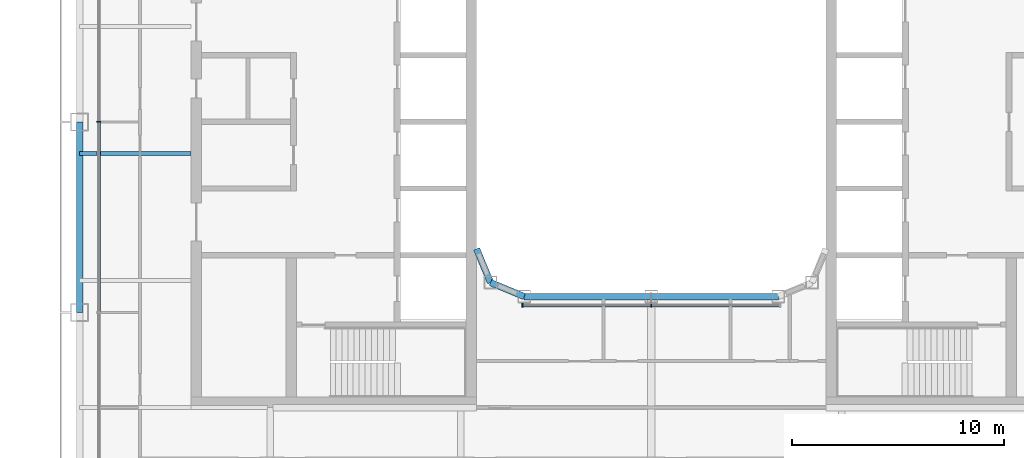
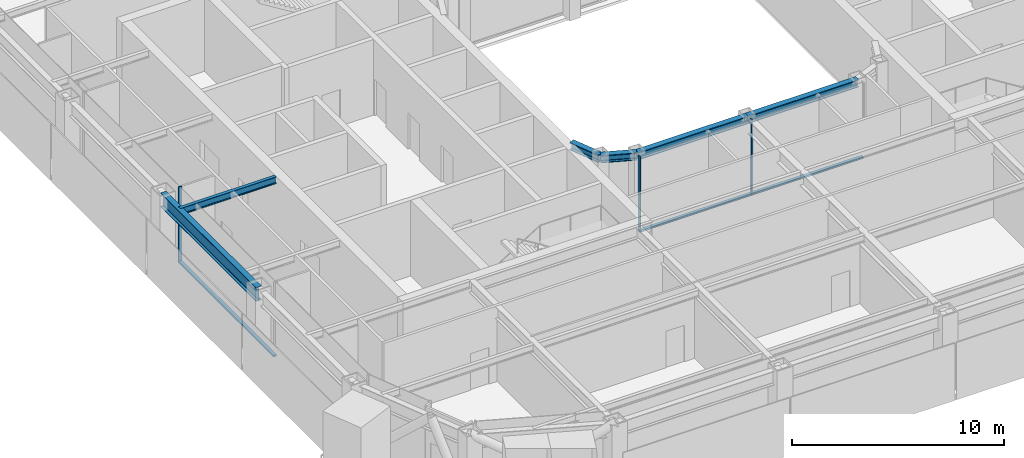
# One storey, part 3 of 24: 6 beams, 6 members, 2 elements without a shape of their own.
"""IFC4 building model written with IfcOpenShell, lengths in metres."""

from ifc_helpers import new_model, si_unit, direction, frame, origin, origin_2d, place, context, subcontext, project, spatial, rectangle, i_section, extrude, material, layer, layer_set, material_profile, profile_set, type_object, element, aggregate, save


model = new_model("IFC4")

# Units and contexts
model_context = context("Model", 3, precision=1e-05, world=origin(), true_north=direction((0.0, 1.0)))
body_context = subcontext(model_context, "Body", "Model", "MODEL_VIEW")
ifc_project = project(units=[si_unit("LENGTHUNIT", "METRE"), si_unit("AREAUNIT", "SQUARE_METRE"), si_unit("VOLUMEUNIT", "CUBIC_METRE"), si_unit("PLANEANGLEUNIT", "RADIAN"), si_unit("MASSUNIT", "GRAM", prefix="KILO")], contexts=[model_context])

# Site, building, storey
site_placement = place(None, origin())
site = spatial("IfcSite", under=ifc_project, at=site_placement, CompositionType="ELEMENT")
building_placement = place(site_placement, origin())
building = spatial("IfcBuilding", under=site, at=building_placement, Name="Siwar Civic Tower", CompositionType="ELEMENT")
storey_placement = place(building_placement, frame((0.0, 0.0, 215.199951171875)))
storey = spatial("IfcBuildingStorey", under=building, at=storey_placement, Name="L46", CompositionType="ELEMENT", Elevation=215.199951171875)

# Curtain wall, member
ifc_material_1 = material(Name="Aluminium and glass", Category="aluminium")
ifc_layer_1 = layer(ifc_material_1, 0.179931640625)
ifc_layer_set_1 = layer_set([ifc_layer_1], Name="Aluminium and glass")
curtain_wall_type_1 = type_object("IfcCurtainWallType", Name="ENV-CW-C", PredefinedType="NOTDEFINED", material=ifc_layer_set_1)
curtain_wall_1_placement = place(storey_placement, origin())
curtain_wall_1 = element("IfcCurtainWall", 1, at=curtain_wall_1_placement, inside=storey, type_object=curtain_wall_type_1, Name="Curtain wall C W", PredefinedType="NOTDEFINED")
ifc_material_2 = material(Name="Aluminium 6063-T6", Category="aluminium")
ifc_material_profile_1 = material_profile(ifc_material_2, rectangle(XDim=0.179931640625, YDim=0.06005859375, at=origin_2d()), Name="AL 180x60")
ifc_profile_set_1 = profile_set([ifc_material_profile_1], Name="Aluminium 6063-T6")
member_type_1 = type_object("IfcMemberType", Name="ENV-MULLION-C", PredefinedType="MULLION", material=ifc_profile_set_1)
member_1_placement = place(storey_placement, frame((-26.10009765625, 0.0, 0.0), z_axis=(0.0, 0.0, 1.0), x_axis=(1.0, 0.0, 0.0)))
member_1 = element("IfcMember", 2, at=member_1_placement, type_object=member_type_1, Name="Mullion C W 3", PredefinedType="MULLION", context=body_context, shape_type="SweptSolid", body=[
    extrude(rectangle(XDim=0.179931640625, YDim=0.06005859375, at=origin_2d()), origin(), (0.0, 0.0, 1.0), 4.35009765625),
])

# Curtain wall, members
ifc_material_3 = material(Name="Aluminium and glass", Category="aluminium")
ifc_layer_2 = layer(ifc_material_3, 0.179931640625)
ifc_layer_set_2 = layer_set([ifc_layer_2], Name="Aluminium and glass")
curtain_wall_type_2 = type_object("IfcCurtainWallType", Name="ENV-CW-W", PredefinedType="NOTDEFINED", material=ifc_layer_set_2)
curtain_wall_2_placement = place(storey_placement, origin())
curtain_wall_2 = element("IfcCurtainWall", 3, at=curtain_wall_2_placement, inside=storey, type_object=curtain_wall_type_2, Name="Curtain wall W WS", PredefinedType="NOTDEFINED")
ifc_material_4 = material(Name="Aluminium 6063-T6", Category="aluminium")
ifc_material_profile_2 = material_profile(ifc_material_4, rectangle(XDim=0.179931640625, YDim=0.06005859375, at=origin_2d()), Name="AL 180x60")
ifc_profile_set_2 = profile_set([ifc_material_profile_2], Name="Aluminium 6063-T6")
member_type_2 = type_object("IfcMemberType", Name="ENV-MULLION-W", PredefinedType="MULLION", material=ifc_profile_set_2)
member_2_placement = place(storey_placement, frame((-6.08154296875, -8.659912109375, 0.0), z_axis=(0.0, 0.0, 1.0), x_axis=(0.0, 1.0, 0.0)))
member_2 = element("IfcMember", 4, at=member_2_placement, type_object=member_type_2, Name="Mullion W WS 1", PredefinedType="MULLION", context=body_context, shape_type="SweptSolid", body=[
    extrude(rectangle(XDim=0.179931640625, YDim=0.06005859375, at=origin_2d()), origin(), (0.0, 0.0, 1.0), 4.35009765625),
])
member_3_placement = place(storey_placement, frame((0.0, -8.659912109375, 0.0), z_axis=(0.0, 0.0, 1.0), x_axis=(0.0, 1.0, 0.0)))
member_3 = element("IfcMember", 5, at=member_3_placement, type_object=member_type_2, Name="Mullion W WS 2", PredefinedType="MULLION", context=body_context, shape_type="SweptSolid", body=[
    extrude(rectangle(XDim=0.179931640625, YDim=0.06005859375, at=origin_2d()), origin(), (0.0, 0.0, 1.0), 4.35009765625),
])

# Member
ifc_material_5 = material(Name="Aluminium 6063-T6", Category="aluminium")
ifc_material_profile_3 = material_profile(ifc_material_5, rectangle(XDim=0.179931640625, YDim=0.10009765625, at=origin_2d()), Name="AL 180x100")
ifc_profile_set_3 = profile_set([ifc_material_profile_3], Name="Aluminium 6063-T6")
member_type_3 = type_object("IfcMemberType", Name="ENV-TRANSOM-C", PredefinedType="USERDEFINED", material=ifc_profile_set_3)
member_4_placement = place(storey_placement, frame((-26.10009765625, -0.030029296875, 0.050048828125), z_axis=(0.0, -1.0, 0.0), x_axis=(1.0, 0.0, 0.0)))
member_4 = element("IfcMember", 6, at=member_4_placement, type_object=member_type_3, Name="Transom C W 3", ObjectType="TRANSOM", PredefinedType="USERDEFINED", context=body_context, shape_type="SweptSolid", body=[
    extrude(rectangle(XDim=0.179931640625, YDim=0.10009765625, at=origin_2d()), origin(), (0.0, 0.0, 1.0), 8.93994140625),
])

aggregate(curtain_wall_1, [member_1, member_4])

ifc_material_6 = material(Name="Aluminium 6063-T6", Category="aluminium")
ifc_material_profile_4 = material_profile(ifc_material_6, rectangle(XDim=0.179931640625, YDim=0.10009765625, at=origin_2d()), Name="AL 180x100")
ifc_profile_set_4 = profile_set([ifc_material_profile_4], Name="Aluminium 6063-T6")
member_type_4 = type_object("IfcMemberType", Name="ENV-TRANSOM-W", PredefinedType="USERDEFINED", material=ifc_profile_set_4)
member_5_placement = place(storey_placement, frame((-6.051513671875, -8.659912109375, 0.050048828125), z_axis=(1.0, 0.0, 0.0), x_axis=(0.0, 1.0, 0.0)))
member_5 = element("IfcMember", 7, at=member_5_placement, type_object=member_type_4, Name="Transom W WS 1", ObjectType="TRANSOM", PredefinedType="USERDEFINED", context=body_context, shape_type="SweptSolid", body=[
    extrude(rectangle(XDim=0.179931640625, YDim=0.10009765625, at=origin_2d()), origin(), (0.0, 0.0, 1.0), 6.021484375),
])

member_6_placement = place(storey_placement, frame((0.030029296875, -8.659912109375, 0.050048828125), z_axis=(1.0, 0.0, 0.0), x_axis=(0.0, 1.0, 0.0)))
member_6 = element("IfcMember", 8, at=member_6_placement, type_object=member_type_4, Name="Transom W WS 2", ObjectType="TRANSOM", PredefinedType="USERDEFINED", context=body_context, shape_type="SweptSolid", body=[
    extrude(rectangle(XDim=0.179931640625, YDim=0.10009765625, at=origin_2d()), origin(), (0.0, 0.0, 1.0), 6.021484375),
])

aggregate(curtain_wall_2, [member_2, member_3, member_5, member_6])

# Beams
ifc_material_7 = material(Name="Steel S355", Category="steel")
ifc_material_profile_5 = material_profile(ifc_material_7, i_section(OverallWidth=0.179931640625, OverallDepth=0.39990234375, WebThickness=0.008544921875, FlangeThickness=0.013427734375, FilletRadius=0.02099609375, at=origin_2d()), Name="IPE400")
ifc_profile_set_5 = profile_set([ifc_material_profile_5], Name="Steel S355")
beam_type_1 = type_object("IfcBeamType", Name="STR-FB-IPE400", PredefinedType="JOIST", material=ifc_profile_set_5)
beam_1_placement = place(storey_placement, frame((-27.0, -1.5, 4.150146484375), z_axis=(1.0, 0.0, 0.0), x_axis=(0.0, 1.0, 0.0)))
element("IfcBeam", 9, at=beam_1_placement, inside=storey, type_object=beam_type_1, Name="L46/bm/F023", PredefinedType="JOIST", context=body_context, shape_type="SweptSolid", body=[
    extrude(i_section(OverallWidth=0.179931640625, OverallDepth=0.39990234375, WebThickness=0.008544921875, FlangeThickness=0.013427734375, FilletRadius=0.02099609375, at=origin_2d()), origin(), (0.0, 0.0, 1.0), 5.25),
])
ifc_material_8 = material(Name="Steel S355", Category="steel")
ifc_material_profile_6 = material_profile(ifc_material_8, i_section(OverallWidth=0.306884765625, OverallDepth=0.431884765625, WebThickness=0.02099609375, FlangeThickness=0.0400390625, FilletRadius=0.027099609375, at=origin_2d()), Name="HEM400")
ifc_profile_set_6 = profile_set([ifc_material_profile_6], Name="Steel S355")
beam_type_2 = type_object("IfcBeamType", Name="STR-RB-HEM400", PredefinedType="BEAM", material=ifc_profile_set_6)
beam_2_placement = place(storey_placement, frame((-7.591064453125, -7.591064453125, 4.134033203125), z_axis=(0.923901072997, -0.382631424892, 0.0), x_axis=(0.382631424892, 0.923901072997, 0.0)))
element("IfcBeam", 10, at=beam_2_placement, inside=storey, type_object=beam_type_2, Name="L46/bm/RS0", PredefinedType="BEAM", context=body_context, shape_type="SweptSolid", body=[
    extrude(i_section(OverallWidth=0.306884765625, OverallDepth=0.431884765625, WebThickness=0.02099609375, FlangeThickness=0.0400390625, FilletRadius=0.027099609375, at=origin_2d()), origin(), (0.0, 0.0, 1.0), 1.72216796875),
])
for number, where, z_axis, x_axis, name in (
    (11, (-6.0, -8.25, 4.134033203125), (1.0, 0.0, 0.0), (0.0, 1.0, 0.0), "L46/bm/RS1"),
    (12, (0.0, -8.25, 4.134033203125), (1.0, 0.0, 0.0), (0.0, 1.0, 0.0), "L46/bm/RS2"),
):
    element("IfcBeam", number, at=place(storey_placement, frame(where, z_axis=z_axis, x_axis=x_axis)), inside=storey, type_object=beam_type_2, Name=name, PredefinedType="BEAM", context=body_context, shape_type="SweptSolid", body=[
        extrude(i_section(OverallWidth=0.306884765625, OverallDepth=0.431884765625, WebThickness=0.02099609375, FlangeThickness=0.0400390625, FilletRadius=0.027099609375, at=origin_2d()), origin(), (0.0, 0.0, 1.0), 6.0),
    ])
beam_3_placement = place(storey_placement, frame((-7.591064453125, -7.591064453125, 4.134033203125), z_axis=(-0.382631424892, 0.923901072997, 0.0), x_axis=(-0.923901072997, -0.382631424892, 0.0)))
element("IfcBeam", 13, at=beam_3_placement, inside=storey, type_object=beam_type_2, Name="L46/bm/RSEW", PredefinedType="BEAM", context=body_context, shape_type="SweptSolid", body=[
    extrude(i_section(OverallWidth=0.306884765625, OverallDepth=0.431884765625, WebThickness=0.02099609375, FlangeThickness=0.0400390625, FilletRadius=0.027099609375, at=origin_2d()), origin(), (0.0, 0.0, 1.0), 1.72216796875),
])
ifc_material_9 = material(Name="Steel S355", Category="steel")
ifc_material_profile_7 = material_profile(ifc_material_9, i_section(OverallWidth=0.300048828125, OverallDepth=0.800048828125, WebThickness=0.017578125, FlangeThickness=0.032958984375, FilletRadius=0.030029296875, at=origin_2d()), Name="HEB800")
ifc_profile_set_7 = profile_set([ifc_material_profile_7], Name="Steel S355")
beam_type_3 = type_object("IfcBeamType", Name="STR-SB-HEB800", PredefinedType="BEAM", material=ifc_profile_set_7)
beam_4_placement = place(storey_placement, frame((-27.0, 0.0, 3.949951171875), z_axis=(0.0, -1.0, 0.0), x_axis=(1.0, 0.0, 0.0)))
element("IfcBeam", 14, at=beam_4_placement, inside=storey, type_object=beam_type_3, Name="L46/bm/SW-2", PredefinedType="BEAM", context=body_context, shape_type="SweptSolid", body=[
    extrude(i_section(OverallWidth=0.300048828125, OverallDepth=0.800048828125, WebThickness=0.017578125, FlangeThickness=0.032958984375, FilletRadius=0.030029296875, at=origin_2d()), origin(), (0.0, 0.0, 1.0), 9.0),
])

save(model, "model.ifc")
